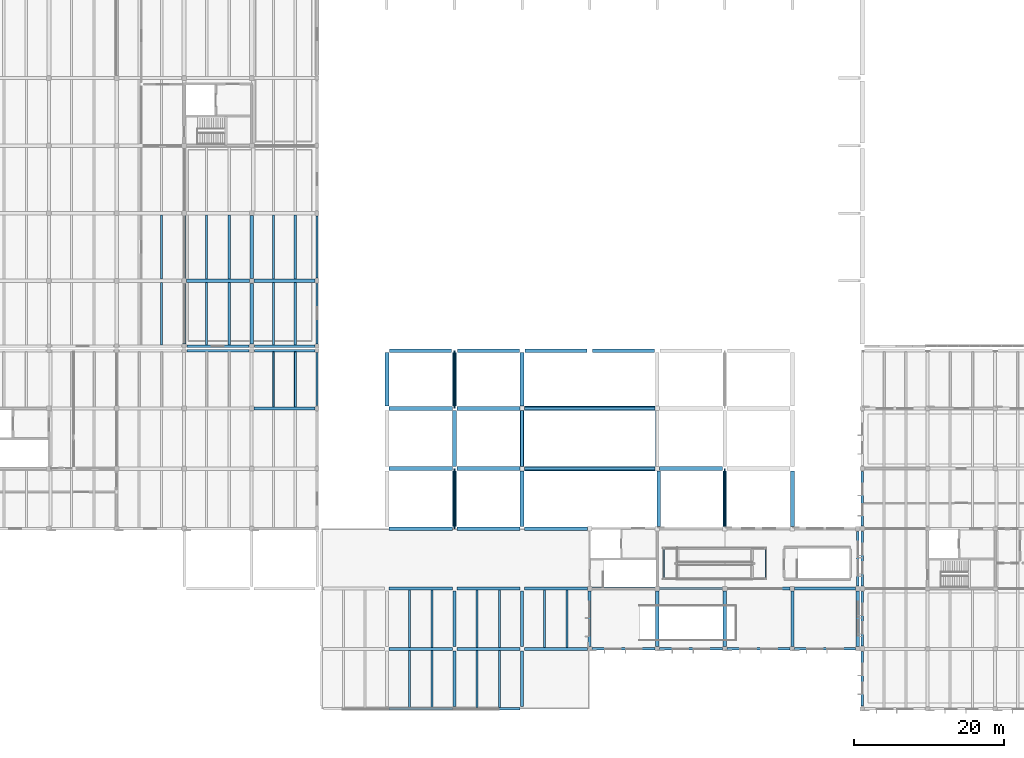
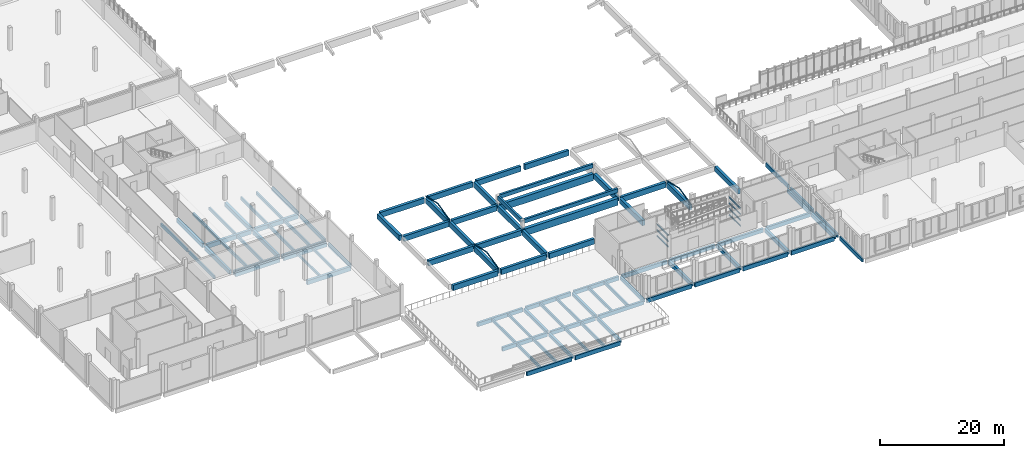
# One storey, part 7 of 63: 101 beams, 6 members.
"""IFC4 building model written with IfcOpenShell, lengths in metres."""

from ifc_helpers import new_model, si_unit, direction, frame, origin, origin_2d, place, context, subcontext, project, spatial, rectangle, hollow_circle, i_section, extrude, material, material_profile, profile_set, type_object, element, save


model = new_model("IFC4")

# Units and contexts
model_context = context("Model", 3, precision=1e-05, world=origin(), true_north=direction((0.0, 1.0)))
body_context = subcontext(model_context, "Body", "Model", "MODEL_VIEW")
ifc_project = project(units=[si_unit("LENGTHUNIT", "METRE"), si_unit("AREAUNIT", "SQUARE_METRE"), si_unit("VOLUMEUNIT", "CUBIC_METRE"), si_unit("PLANEANGLEUNIT", "RADIAN"), si_unit("MASSUNIT", "GRAM", prefix="KILO")], contexts=[model_context])

# Site, building, storey
site_placement = place(None, origin())
site = spatial("IfcSite", under=ifc_project, at=site_placement, CompositionType="ELEMENT")
building_placement = place(site_placement, origin())
building = spatial("IfcBuilding", under=site, at=building_placement, Name="Zacnel Wholesale Market", CompositionType="ELEMENT")
storey_placement = place(building_placement, frame((0.0, 0.0, 11.199951171875)))
storey = spatial("IfcBuildingStorey", under=building, at=storey_placement, Name="L03", CompositionType="ELEMENT", Elevation=11.199951171875)

# Beams
ifc_material_1 = material(Name="Precast concrete C45/55", Category="concrete")
ifc_material_profile_1 = material_profile(ifc_material_1, rectangle(XDim=0.280029296875, YDim=0.550048828125, at=origin_2d()), Name="DT RIB 280x550")
ifc_profile_set_1 = profile_set([ifc_material_profile_1], Name="Precast concrete C45/55")
beam_type_1 = type_object("IfcBeamType", Name="BM-DT550", PredefinedType="JOIST", material=ifc_profile_set_1)
for number, where, z_axis, x_axis, name in (
    (1, (84.0, 0.159912109375, -0.695068359375), (0.0, 1.0, 0.0), (-1.0, 0.0, 0.0), "Precast secondary joist L03-0347"),
    (2, (87.0, 0.159912109375, -0.695068359375), (0.0, 1.0, 0.0), (-1.0, 0.0, 0.0), "Precast secondary joist L03-0348"),
    (3, (93.0, 0.159912109375, -0.695068359375), (0.0, 1.0, 0.0), (-1.0, 0.0, 0.0), "Precast secondary joist L03-0349"),
    (4, (96.0, 0.159912109375, -0.695068359375), (0.0, 1.0, 0.0), (-1.0, 0.0, 0.0), "Precast secondary joist L03-0350"),
):
    element("IfcBeam", number, at=place(storey_placement, frame(where, z_axis=z_axis, x_axis=x_axis)), inside=storey, type_object=beam_type_1, Name=name, PredefinedType="JOIST", context=body_context, shape_type="SweptSolid", body=[
        extrude(rectangle(XDim=0.280029296875, YDim=0.550048828125, at=origin_2d()), origin(), (0.0, 0.0, 1.0), 7.64013671875),
    ])
for number, where, z_axis, x_axis, name in (
    (5, (84.0, 8.199951171875, -0.695068359375), (0.0, 1.0, 0.0), (-1.0, 0.0, 0.0), "Precast terrace joist L04-84.0"),
    (6, (87.0, 8.199951171875, -0.695068359375), (0.0, 1.0, 0.0), (-1.0, 0.0, 0.0), "Precast terrace joist L04-87.0"),
    (7, (93.0, 8.199951171875, -0.695068359375), (0.0, 1.0, 0.0), (-1.0, 0.0, 0.0), "Precast secondary joist L03-0365"),
    (8, (96.0, 8.199951171875, -0.695068359375), (0.0, 1.0, 0.0), (-1.0, 0.0, 0.0), "Precast secondary joist L03-0366"),
    (9, (102.0, 8.199951171875, -0.695068359375), (0.0, 1.0, 0.0), (-1.0, 0.0, 0.0), "Precast secondary joist L03-0367"),
    (10, (105.0, 8.199951171875, -0.695068359375), (0.0, 1.0, 0.0), (-1.0, 0.0, 0.0), "Precast secondary joist L03-0368"),
):
    element("IfcBeam", number, at=place(storey_placement, frame(where, z_axis=z_axis, x_axis=x_axis)), inside=storey, type_object=beam_type_1, Name=name, PredefinedType="JOIST", context=body_context, shape_type="SweptSolid", body=[
        extrude(rectangle(XDim=0.280029296875, YDim=0.550048828125, at=origin_2d()), origin(), (0.0, 0.0, 1.0), 7.60009765625),
    ])
ifc_material_2 = material(Name="Precast concrete C45/55", Category="concrete")
ifc_material_profile_2 = material_profile(ifc_material_2, rectangle(XDim=0.280029296875, YDim=0.60009765625, at=origin_2d()), Name="DT RIB 280x600")
ifc_profile_set_2 = profile_set([ifc_material_profile_2], Name="Precast concrete C45/55")
beam_type_2 = type_object("IfcBeamType", Name="BM-DT600", PredefinedType="JOIST", material=ifc_profile_set_2)
for number, where, z_axis, x_axis, name in (
    (11, (51.0, 48.4599609375, -0.599853515625), (0.0, 1.0, 0.0), (-1.0, 0.0, 0.0), "Precast secondary joist L03-0482"),
    (12, (57.0, 48.4599609375, -0.599853515625), (0.0, 1.0, 0.0), (-1.0, 0.0, 0.0), "Precast secondary joist L03-0483"),
    (13, (60.0, 48.4599609375, -0.599853515625), (0.0, 1.0, 0.0), (-1.0, 0.0, 0.0), "Precast secondary joist L03-0484"),
    (14, (65.89990234375, 48.4599609375, -0.599853515625), (0.0, 1.0, 0.0), (-1.0, 0.0, 0.0), "Precast secondary joist L03-0485"),
    (15, (68.800048828125, 48.4599609375, -0.599853515625), (0.0, 1.0, 0.0), (-1.0, 0.0, 0.0), "Precast secondary joist L03-0486"),
):
    element("IfcBeam", number, at=place(storey_placement, frame(where, z_axis=z_axis, x_axis=x_axis)), inside=storey, type_object=beam_type_2, Name=name, PredefinedType="JOIST", context=body_context, shape_type="SweptSolid", body=[
        extrude(rectangle(XDim=0.280029296875, YDim=0.60009765625, at=origin_2d()), origin(), (0.0, 0.0, 1.0), 8.31494140625),
    ])
for number, where, z_axis, x_axis, name in (
    (16, (51.0, 57.22509765625, -0.599853515625), (0.0, 1.0, 0.0), (-1.0, 0.0, 0.0), "Precast secondary joist L03-0502"),
    (17, (57.0, 57.22509765625, -0.599853515625), (0.0, 1.0, 0.0), (-1.0, 0.0, 0.0), "Precast secondary joist L03-0503"),
    (18, (60.0, 57.22509765625, -0.599853515625), (0.0, 1.0, 0.0), (-1.0, 0.0, 0.0), "Precast secondary joist L03-0504"),
    (19, (65.89990234375, 57.22509765625, -0.599853515625), (0.0, 1.0, 0.0), (-1.0, 0.0, 0.0), "Precast secondary joist L03-0505"),
    (20, (68.800048828125, 57.22509765625, -0.599853515625), (0.0, 1.0, 0.0), (-1.0, 0.0, 0.0), "Precast secondary joist L03-0506"),
):
    element("IfcBeam", number, at=place(storey_placement, frame(where, z_axis=z_axis, x_axis=x_axis)), inside=storey, type_object=beam_type_2, Name=name, PredefinedType="JOIST", context=body_context, shape_type="SweptSolid", body=[
        extrude(rectangle(XDim=0.280029296875, YDim=0.60009765625, at=origin_2d()), origin(), (0.0, 0.0, 1.0), 8.5498046875),
    ])
ifc_material_3 = material(Name="Precast concrete C45/55", Category="concrete")
ifc_material_profile_3 = material_profile(ifc_material_3, rectangle(XDim=0.5, YDim=1.050048828125, at=origin_2d()), Name="PG 500x1050")
ifc_profile_set_3 = profile_set([ifc_material_profile_3], Name="Precast concrete C45/55")
beam_type_3 = type_object("IfcBeamType", Name="BM-PG1050", PredefinedType="T_BEAM", material=ifc_profile_set_3)
for number, where, z_axis, x_axis, name in (
    (21, (81.300048828125, 24.0, 1.6650390625), (1.0, 0.0, 0.0), (0.0, 1.0, 0.0), "Precast girder X-0601"),
    (22, (90.300048828125, 24.0, 1.6650390625), (1.0, 0.0, 0.0), (0.0, 1.0, 0.0), "Precast girder X-0602"),
    (23, (99.300048828125, 24.0, 1.6650390625), (1.0, 0.0, 0.0), (0.0, 1.0, 0.0), "Precast girder X-0603"),
    (24, (81.300048828125, 32.0, 1.6650390625), (1.0, 0.0, 0.0), (0.0, 1.0, 0.0), "Precast girder X-0618"),
    (25, (90.300048828125, 32.0, 1.6650390625), (1.0, 0.0, 0.0), (0.0, 1.0, 0.0), "Precast girder X-0619"),
    (26, (117.300048828125, 32.0, 1.6650390625), (1.0, 0.0, 0.0), (0.0, 1.0, 0.0), "Precast girder X-0621"),
    (27, (81.300048828125, 40.0, 1.6650390625), (1.0, 0.0, 0.0), (0.0, 1.0, 0.0), "Precast girder X-0637"),
    (28, (90.300048828125, 40.0, 1.6650390625), (1.0, 0.0, 0.0), (0.0, 1.0, 0.0), "Precast girder X-0638"),
):
    element("IfcBeam", number, at=place(storey_placement, frame(where, z_axis=z_axis, x_axis=x_axis)), inside=storey, type_object=beam_type_3, Name=name, PredefinedType="T_BEAM", context=body_context, shape_type="SweptSolid", body=[
        extrude(rectangle(XDim=0.5, YDim=1.050048828125, at=origin_2d()), origin(), (0.0, 0.0, 1.0), 8.39990234375),
    ])
for number, where, z_axis, x_axis, name in (
    (29, (81.375, 47.699951171875, 1.6650390625), (1.0, 0.0, 0.0), (0.0, 1.0, 0.0), "Precast girder X-0656"),
    (30, (90.375, 47.699951171875, 1.6650390625), (1.0, 0.0, 0.0), (0.0, 1.0, 0.0), "Precast girder X-0657"),
    (31, (99.375, 47.699951171875, 1.6650390625), (1.0, 0.0, 0.0), (0.0, 1.0, 0.0), "Precast girder X-0658"),
    (32, (108.375, 47.699951171875, 1.6650390625), (1.0, 0.0, 0.0), (0.0, 1.0, 0.0), "Precast girder X-0659"),
):
    element("IfcBeam", number, at=place(storey_placement, frame(where, z_axis=z_axis, x_axis=x_axis)), inside=storey, type_object=beam_type_3, Name=name, PredefinedType="T_BEAM", context=body_context, shape_type="SweptSolid", body=[
        extrude(rectangle(XDim=0.5, YDim=1.050048828125, at=origin_2d()), origin(), (0.0, 0.0, 1.0), 8.25),
    ])
beam_1_placement = place(storey_placement, frame((81.0, 40.300048828125, 1.6650390625), z_axis=(0.0, 1.0, 0.0), x_axis=(-1.0, 0.0, 0.0)))
element("IfcBeam", 33, at=beam_1_placement, inside=storey, type_object=beam_type_3, Name="Precast girder Y-0891", PredefinedType="T_BEAM", context=body_context, shape_type="SweptSolid", body=[
    extrude(rectangle(XDim=0.5, YDim=1.050048828125, at=origin_2d()), origin(), (0.0, 0.0, 1.0), 7.125),
])
for number, where, z_axis, x_axis, name in (
    (34, (90.0, 24.300048828125, 1.6650390625), (0.0, 1.0, 0.0), (-1.0, 0.0, 0.0), "Precast girder Y-0895"),
    (35, (90.0, 32.300048828125, 1.6650390625), (0.0, 1.0, 0.0), (-1.0, 0.0, 0.0), "Precast girder Y-0896"),
):
    element("IfcBeam", number, at=place(storey_placement, frame(where, z_axis=z_axis, x_axis=x_axis)), inside=storey, type_object=beam_type_3, Name=name, PredefinedType="T_BEAM", context=body_context, shape_type="SweptSolid", body=[
        extrude(rectangle(XDim=0.5, YDim=1.050048828125, at=origin_2d()), origin(), (0.0, 0.0, 1.0), 7.39990234375),
    ])
beam_2_placement = place(storey_placement, frame((90.0, 40.300048828125, 1.6650390625), z_axis=(0.0, 1.0, 0.0), x_axis=(-1.0, 0.0, 0.0)))
element("IfcBeam", 36, at=beam_2_placement, inside=storey, type_object=beam_type_3, Name="Precast girder Y-0897", PredefinedType="T_BEAM", context=body_context, shape_type="SweptSolid", body=[
    extrude(rectangle(XDim=0.5, YDim=1.050048828125, at=origin_2d()), origin(), (0.0, 0.0, 1.0), 7.125),
])
for number, where, z_axis, x_axis, name in (
    (37, (99.0, 24.300048828125, 1.6650390625), (0.0, 1.0, 0.0), (-1.0, 0.0, 0.0), "Precast girder Y-0901"),
    (38, (99.0, 32.300048828125, 1.6650390625), (0.0, 1.0, 0.0), (-1.0, 0.0, 0.0), "Precast girder Y-0902"),
):
    element("IfcBeam", number, at=place(storey_placement, frame(where, z_axis=z_axis, x_axis=x_axis)), inside=storey, type_object=beam_type_3, Name=name, PredefinedType="T_BEAM", context=body_context, shape_type="SweptSolid", body=[
        extrude(rectangle(XDim=0.5, YDim=1.050048828125, at=origin_2d()), origin(), (0.0, 0.0, 1.0), 7.39990234375),
    ])
beam_3_placement = place(storey_placement, frame((99.0, 40.300048828125, 1.6650390625), z_axis=(0.0, 1.0, 0.0), x_axis=(-1.0, 0.0, 0.0)))
element("IfcBeam", 39, at=beam_3_placement, inside=storey, type_object=beam_type_3, Name="Precast girder Y-0903", PredefinedType="T_BEAM", context=body_context, shape_type="SweptSolid", body=[
    extrude(rectangle(XDim=0.5, YDim=1.050048828125, at=origin_2d()), origin(), (0.0, 0.0, 1.0), 7.125),
])
for number, where, z_axis, x_axis, name in (
    (40, (117.179931640625, 24.300048828125, 1.6650390625), (0.0, 1.0, 0.0), (-1.0, 0.0, 0.0), "Precast girder Y-0907"),
    (41, (117.0, 32.300048828125, 1.6650390625), (0.0, 1.0, 0.0), (-1.0, 0.0, 0.0), "Precast girder Y-0908"),
    (42, (126.0, 24.300048828125, 1.6650390625), (0.0, 1.0, 0.0), (-1.0, 0.0, 0.0), "Precast girder Y-0911"),
    (43, (135.0, 24.300048828125, 1.6650390625), (0.0, 1.0, 0.0), (-1.0, 0.0, 0.0), "Precast girder Y-0915"),
):
    element("IfcBeam", number, at=place(storey_placement, frame(where, z_axis=z_axis, x_axis=x_axis)), inside=storey, type_object=beam_type_3, Name=name, PredefinedType="T_BEAM", context=body_context, shape_type="SweptSolid", body=[
        extrude(rectangle(XDim=0.5, YDim=1.050048828125, at=origin_2d()), origin(), (0.0, 0.0, 1.0), 7.39990234375),
    ])
ifc_material_4 = material(Name="Precast concrete C45/55", Category="concrete")
ifc_material_profile_4 = material_profile(ifc_material_4, rectangle(XDim=0.60009765625, YDim=1.35009765625, at=origin_2d()), Name="PG 600x1350")
ifc_profile_set_4 = profile_set([ifc_material_profile_4], Name="Precast concrete C45/55")
beam_type_4 = type_object("IfcBeamType", Name="BM-PG1350", PredefinedType="T_BEAM", material=ifc_profile_set_4)
for number, where, z_axis, x_axis, name in (
    (44, (99.300048828125, 32.0, 1.51513671875), (1.0, 0.0, 0.0), (0.0, 1.0, 0.0), "Precast girder X-0620"),
    (45, (99.300048828125, 40.0, 1.51513671875), (1.0, 0.0, 0.0), (0.0, 1.0, 0.0), "Precast girder X-0639"),
):
    element("IfcBeam", number, at=place(storey_placement, frame(where, z_axis=z_axis, x_axis=x_axis)), inside=storey, type_object=beam_type_4, Name=name, PredefinedType="T_BEAM", context=body_context, shape_type="SweptSolid", body=[
        extrude(rectangle(XDim=0.60009765625, YDim=1.35009765625, at=origin_2d()), origin(), (0.0, 0.0, 1.0), 17.39990234375),
    ])
ifc_material_5 = material(Name="Precast concrete C45/55", Category="concrete")
ifc_material_profile_5 = material_profile(ifc_material_5, rectangle(XDim=0.39990234375, YDim=0.64990234375, at=origin_2d()), Name="PG 400x650")
ifc_profile_set_5 = profile_set([ifc_material_profile_5], Name="Precast concrete C45/55")
beam_type_5 = type_object("IfcBeamType", Name="BM-PG650", PredefinedType="BEAM", material=ifc_profile_set_5)
for number, where, z_axis, x_axis, name in (
    (46, (90.0, 0.300048828125, -0.744873046875), (0.0, 1.0, 0.0), (-1.0, 0.0, 0.0), "Precast girder Y-0893"),
    (47, (90.0, 8.300048828125, -0.744873046875), (0.0, 1.0, 0.0), (-1.0, 0.0, 0.0), "Precast girder Y-0894"),
    (48, (99.0, 0.300048828125, -0.744873046875), (0.0, 1.0, 0.0), (-1.0, 0.0, 0.0), "Precast girder Y-0899"),
    (49, (99.0, 8.300048828125, -0.744873046875), (0.0, 1.0, 0.0), (-1.0, 0.0, 0.0), "Precast girder Y-0900"),
    (50, (108.0, 8.300048828125, -0.744873046875), (0.0, 1.0, 0.0), (-1.0, 0.0, 0.0), "Precast girder Y-0905"),
):
    element("IfcBeam", number, at=place(storey_placement, frame(where, z_axis=z_axis, x_axis=x_axis)), inside=storey, type_object=beam_type_5, Name=name, PredefinedType="BEAM", context=body_context, shape_type="SweptSolid", body=[
        extrude(rectangle(XDim=0.39990234375, YDim=0.64990234375, at=origin_2d()), origin(), (0.0, 0.0, 1.0), 7.39990234375),
    ])
ifc_material_6 = material(Name="Precast concrete C45/55", Category="concrete")
ifc_material_profile_6 = material_profile(ifc_material_6, rectangle(XDim=0.39990234375, YDim=0.75, at=origin_2d()), Name="PG 400x750")
ifc_profile_set_6 = profile_set([ifc_material_profile_6], Name="Precast concrete C45/55")
beam_type_6 = type_object("IfcBeamType", Name="BM-PG750", PredefinedType="BEAM", material=ifc_profile_set_6)
for number, where, z_axis, x_axis, name in (
    (51, (81.300048828125, 8.0, -0.794921875), (1.0, 0.0, 0.0), (0.0, 1.0, 0.0), "Precast girder X-0569"),
    (52, (90.300048828125, 8.0, -0.794921875), (1.0, 0.0, 0.0), (0.0, 1.0, 0.0), "Precast girder X-0570"),
    (53, (99.300048828125, 8.0, -0.794921875), (1.0, 0.0, 0.0), (0.0, 1.0, 0.0), "Precast girder X-0571"),
    (54, (81.300048828125, 16.0, -0.794921875), (1.0, 0.0, 0.0), (0.0, 1.0, 0.0), "Precast girder X-0580"),
    (55, (90.300048828125, 16.0, -0.794921875), (1.0, 0.0, 0.0), (0.0, 1.0, 0.0), "Precast girder X-0581"),
    (56, (99.300048828125, 16.0, -0.794921875), (1.0, 0.0, 0.0), (0.0, 1.0, 0.0), "Precast girder X-0582"),
    (57, (108.300048828125, 16.0, -0.794921875), (1.0, 0.0, 0.0), (0.0, 1.0, 0.0), "Precast girder X-0583"),
    (58, (117.300048828125, 16.0, -0.794921875), (1.0, 0.0, 0.0), (0.0, 1.0, 0.0), "Precast girder X-0584"),
    (59, (126.300048828125, 16.0, -0.794921875), (1.0, 0.0, 0.0), (0.0, 1.0, 0.0), "Precast girder X-0585"),
):
    element("IfcBeam", number, at=place(storey_placement, frame(where, z_axis=z_axis, x_axis=x_axis)), inside=storey, type_object=beam_type_6, Name=name, PredefinedType="BEAM", context=body_context, shape_type="SweptSolid", body=[
        extrude(rectangle(XDim=0.39990234375, YDim=0.75, at=origin_2d()), origin(), (0.0, 0.0, 1.0), 8.39990234375),
    ])
beam_4_placement = place(storey_placement, frame((135.300048828125, 16.0, -0.794921875), z_axis=(1.0, 0.0, 0.0), x_axis=(0.0, 1.0, 0.0)))
element("IfcBeam", 60, at=beam_4_placement, inside=storey, type_object=beam_type_6, Name="Precast girder X-0586", PredefinedType="BEAM", context=body_context, shape_type="SweptSolid", body=[
    extrude(rectangle(XDim=0.39990234375, YDim=0.75, at=origin_2d()), origin(), (0.0, 0.0, 1.0), 8.125),
])
for number, where, z_axis, x_axis, name in (
    (61, (99.300048828125, 32.0, 3.679931640625), (1.0, 0.0, 0.0), (0.0, 1.0, 0.0), "Auction pavilion collar beam 01"),
    (62, (99.300048828125, 40.0, 3.679931640625), (1.0, 0.0, 0.0), (0.0, 1.0, 0.0), "Auction pavilion collar beam 02"),
):
    element("IfcBeam", number, at=place(storey_placement, frame(where, z_axis=z_axis, x_axis=x_axis)), inside=storey, type_object=beam_type_6, Name=name, PredefinedType="BEAM", context=body_context, shape_type="SweptSolid", body=[
        extrude(rectangle(XDim=0.39990234375, YDim=0.75, at=origin_2d()), origin(), (0.0, 0.0, 1.0), 17.39990234375),
    ])
beam_5_placement = place(storey_placement, frame((99.0, 32.300048828125, 3.679931640625), z_axis=(0.0, 1.0, 0.0), x_axis=(-1.0, 0.0, 0.0)))
element("IfcBeam", 63, at=beam_5_placement, inside=storey, type_object=beam_type_6, Name="Auction pavilion collar beam 03", PredefinedType="BEAM", context=body_context, shape_type="SweptSolid", body=[
    extrude(rectangle(XDim=0.39990234375, YDim=0.75, at=origin_2d()), origin(), (0.0, 0.0, 1.0), 7.39990234375),
])
ifc_material_7 = material(Name="Precast concrete C45/55", Category="concrete")
ifc_material_profile_7 = material_profile(ifc_material_7, rectangle(XDim=0.449951171875, YDim=0.800048828125, at=origin_2d()), Name="PG 450x800")
ifc_profile_set_7 = profile_set([ifc_material_profile_7], Name="Precast concrete C45/55")
beam_type_7 = type_object("IfcBeamType", Name="BM-PG800", PredefinedType="BEAM", material=ifc_profile_set_7)
beam_6_placement = place(storey_placement, frame((54.0, 48.574951171875, -0.699951171875), z_axis=(0.0, 1.0, 0.0), x_axis=(-1.0, 0.0, 0.0)))
element("IfcBeam", 64, at=beam_6_placement, inside=storey, type_object=beam_type_7, Name="Precast girder Y-0850", PredefinedType="BEAM", context=body_context, shape_type="SweptSolid", body=[
    extrude(rectangle(XDim=0.449951171875, YDim=0.800048828125, at=origin_2d()), origin(), (0.0, 0.0, 1.0), 8.10009765625),
])
beam_7_placement = place(storey_placement, frame((54.0, 57.324951171875, -0.699951171875), z_axis=(0.0, 1.0, 0.0), x_axis=(-1.0, 0.0, 0.0)))
element("IfcBeam", 65, at=beam_7_placement, inside=storey, type_object=beam_type_7, Name="Precast girder Y-0851", PredefinedType="BEAM", context=body_context, shape_type="SweptSolid", body=[
    extrude(rectangle(XDim=0.449951171875, YDim=0.800048828125, at=origin_2d()), origin(), (0.0, 0.0, 1.0), 8.35009765625),
])
beam_8_placement = place(storey_placement, frame((63.0, 48.574951171875, -0.699951171875), z_axis=(0.0, 1.0, 0.0), x_axis=(-1.0, 0.0, 0.0)))
element("IfcBeam", 66, at=beam_8_placement, inside=storey, type_object=beam_type_7, Name="Precast girder Y-0862", PredefinedType="BEAM", context=body_context, shape_type="SweptSolid", body=[
    extrude(rectangle(XDim=0.449951171875, YDim=0.800048828125, at=origin_2d()), origin(), (0.0, 0.0, 1.0), 8.10009765625),
])
beam_9_placement = place(storey_placement, frame((63.0, 57.324951171875, -0.699951171875), z_axis=(0.0, 1.0, 0.0), x_axis=(-1.0, 0.0, 0.0)))
element("IfcBeam", 67, at=beam_9_placement, inside=storey, type_object=beam_type_7, Name="Precast girder Y-0863", PredefinedType="BEAM", context=body_context, shape_type="SweptSolid", body=[
    extrude(rectangle(XDim=0.449951171875, YDim=0.800048828125, at=origin_2d()), origin(), (0.0, 0.0, 1.0), 8.35009765625),
])
for number, where, z_axis, x_axis, name in (
    (68, (117.0, 8.300048828125, -0.699951171875), (0.0, 1.0, 0.0), (-1.0, 0.0, 0.0), "Precast wing cross-girder V4EL2S-01"),
    (69, (126.0, 8.300048828125, -0.699951171875), (0.0, 1.0, 0.0), (-1.0, 0.0, 0.0), "Precast wing cross-girder V4EL2S-02"),
    (70, (135.0, 8.300048828125, -0.699951171875), (0.0, 1.0, 0.0), (-1.0, 0.0, 0.0), "Precast wing cross-girder V4EL2S-03"),
    (71, (143.699951171875, 8.300048828125, -0.699951171875), (0.0, 1.0, 0.0), (-1.0, 0.0, 0.0), "Precast wing cross-girder V4EL2S-04"),
):
    element("IfcBeam", number, at=place(storey_placement, frame(where, z_axis=z_axis, x_axis=x_axis)), inside=storey, type_object=beam_type_7, Name=name, PredefinedType="BEAM", context=body_context, shape_type="SweptSolid", body=[
        extrude(rectangle(XDim=0.449951171875, YDim=0.800048828125, at=origin_2d()), origin(), (0.0, 0.0, 1.0), 7.39990234375),
    ])
ifc_material_8 = material(Name="Precast concrete C45/55", Category="concrete")
ifc_material_profile_8 = material_profile(ifc_material_8, rectangle(XDim=0.449951171875, YDim=0.85009765625, at=origin_2d()), Name="PG 450x850")
ifc_profile_set_8 = profile_set([ifc_material_profile_8], Name="Precast concrete C45/55")
beam_type_8 = type_object("IfcBeamType", Name="BM-PG850", PredefinedType="BEAM", material=ifc_profile_set_8)
beam_10_placement = place(storey_placement, frame((63.324951171875, 40.0, -0.724853515625), z_axis=(1.0, 0.0, 0.0), x_axis=(0.0, 1.0, 0.0)))
element("IfcBeam", 72, at=beam_10_placement, inside=storey, type_object=beam_type_8, Name="Precast girder X-0636", PredefinedType="BEAM", context=body_context, shape_type="SweptSolid", body=[
    extrude(rectangle(XDim=0.449951171875, YDim=0.85009765625, at=origin_2d()), origin(), (0.0, 0.0, 1.0), 8.10009765625),
])
beam_11_placement = place(storey_placement, frame((54.324951171875, 57.0, -0.724853515625), z_axis=(1.0, 0.0, 0.0), x_axis=(0.0, 1.0, 0.0)))
element("IfcBeam", 73, at=beam_11_placement, inside=storey, type_object=beam_type_8, Name="Precast girder X-0684", PredefinedType="BEAM", context=body_context, shape_type="SweptSolid", body=[
    extrude(rectangle(XDim=0.449951171875, YDim=0.85009765625, at=origin_2d()), origin(), (0.0, 0.0, 1.0), 8.35009765625),
])
beam_12_placement = place(storey_placement, frame((63.324951171875, 57.0, -0.724853515625), z_axis=(1.0, 0.0, 0.0), x_axis=(0.0, 1.0, 0.0)))
element("IfcBeam", 74, at=beam_12_placement, inside=storey, type_object=beam_type_8, Name="Precast girder X-0685", PredefinedType="BEAM", context=body_context, shape_type="SweptSolid", body=[
    extrude(rectangle(XDim=0.449951171875, YDim=0.85009765625, at=origin_2d()), origin(), (0.0, 0.0, 1.0), 8.10009765625),
])
ifc_material_9 = material(Name="Precast concrete C45/55", Category="concrete")
ifc_material_profile_9 = material_profile(ifc_material_9, rectangle(XDim=0.260009765625, YDim=0.5, at=origin_2d()), Name="PJ 260x500")
ifc_profile_set_9 = profile_set([ifc_material_profile_9], Name="Precast concrete C45/55")
beam_type_9 = type_object("IfcBeamType", Name="BM-PJ500", PredefinedType="HOLLOWCORE", material=ifc_profile_set_9)
for number, where, z_axis, x_axis, name in (
    (75, (65.89990234375, 40.22509765625, -0.550048828125), (0.0, 1.0, 0.0), (-1.0, 0.0, 0.0), "Precast secondary joist L03-0457"),
    (76, (68.800048828125, 40.22509765625, -0.550048828125), (0.0, 1.0, 0.0), (-1.0, 0.0, 0.0), "Precast secondary joist L03-0458"),
):
    element("IfcBeam", number, at=place(storey_placement, frame(where, z_axis=z_axis, x_axis=x_axis)), inside=storey, type_object=beam_type_9, Name=name, PredefinedType="HOLLOWCORE", context=body_context, shape_type="SweptSolid", body=[
        extrude(rectangle(XDim=0.260009765625, YDim=0.5, at=origin_2d()), origin(), (0.0, 0.0, 1.0), 7.31494140625),
    ])
ifc_material_10 = material(Name="Precast concrete C45/55", Category="concrete")
ifc_material_profile_10 = material_profile(ifc_material_10, rectangle(XDim=0.300048828125, YDim=0.75, at=origin_2d()), Name="SP 300x750")
ifc_profile_set_10 = profile_set([ifc_material_profile_10], Name="Precast concrete C45/55")
beam_type_10 = type_object("IfcBeamType", Name="BM-SP750", PredefinedType="SPANDREL", material=ifc_profile_set_10)
beam_13_placement = place(storey_placement, frame((71.699951171875, 40.375, -0.675048828125), z_axis=(0.0, 1.0, 0.0), x_axis=(-1.0, 0.0, 0.0)))
element("IfcBeam", 77, at=beam_13_placement, inside=storey, type_object=beam_type_10, Name="Precast girder Y-0873", PredefinedType="SPANDREL", context=body_context, shape_type="SweptSolid", body=[
    extrude(rectangle(XDim=0.300048828125, YDim=0.75, at=origin_2d()), origin(), (0.0, 0.0, 1.0), 7.050048828125),
])
beam_14_placement = place(storey_placement, frame((71.699951171875, 48.574951171875, -0.675048828125), z_axis=(0.0, 1.0, 0.0), x_axis=(-1.0, 0.0, 0.0)))
element("IfcBeam", 78, at=beam_14_placement, inside=storey, type_object=beam_type_10, Name="Precast girder Y-0874", PredefinedType="SPANDREL", context=body_context, shape_type="SweptSolid", body=[
    extrude(rectangle(XDim=0.300048828125, YDim=0.75, at=origin_2d()), origin(), (0.0, 0.0, 1.0), 8.050048828125),
])
beam_15_placement = place(storey_placement, frame((71.699951171875, 57.375, -0.675048828125), z_axis=(0.0, 1.0, 0.0), x_axis=(-1.0, 0.0, 0.0)))
element("IfcBeam", 79, at=beam_15_placement, inside=storey, type_object=beam_type_10, Name="Precast girder Y-0875", PredefinedType="SPANDREL", context=body_context, shape_type="SweptSolid", body=[
    extrude(rectangle(XDim=0.300048828125, YDim=0.75, at=origin_2d()), origin(), (0.0, 0.0, 1.0), 8.25),
])
for number, where, z_axis, x_axis, name in (
    (80, (143.699951171875, 16.375, -0.794921875), (0.0, 1.0, 0.0), (-1.0, 0.0, 0.0), "Precast girder Y-0919"),
    (81, (144.300048828125, 0.375, -0.675048828125), (0.0, 1.0, 0.0), (-1.0, 0.0, 0.0), "Precast girder Y-0921"),
    (82, (144.300048828125, 8.375, -0.675048828125), (0.0, 1.0, 0.0), (-1.0, 0.0, 0.0), "Precast girder Y-0922"),
    (83, (144.300048828125, 16.375, -0.675048828125), (0.0, 1.0, 0.0), (-1.0, 0.0, 0.0), "Precast girder Y-0923"),
    (84, (144.300048828125, 24.375, -0.675048828125), (0.0, 1.0, 0.0), (-1.0, 0.0, 0.0), "Precast girder Y-0924"),
):
    element("IfcBeam", number, at=place(storey_placement, frame(where, z_axis=z_axis, x_axis=x_axis)), inside=storey, type_object=beam_type_10, Name=name, PredefinedType="SPANDREL", context=body_context, shape_type="SweptSolid", body=[
        extrude(rectangle(XDim=0.300048828125, YDim=0.75, at=origin_2d()), origin(), (0.0, 0.0, 1.0), 7.25),
    ])
ifc_material_11 = material(Name="Precast concrete C45/55", Category="concrete")
ifc_material_profile_11 = material_profile(ifc_material_11, rectangle(XDim=0.320068359375, YDim=0.820068359375, at=origin_2d()), Name="SP 320x820")
ifc_profile_set_11 = profile_set([ifc_material_profile_11], Name="Precast concrete C45/55")
beam_type_11 = type_object("IfcBeamType", Name="BM-SP820", PredefinedType="SPANDREL", material=ifc_profile_set_11)
for number, where, z_axis, x_axis, name in (
    (85, (81.300048828125, 0.0, -0.829833984375), (1.0, 0.0, 0.0), (0.0, 1.0, 0.0), "Precast girder X-0558"),
    (86, (90.300048828125, 0.0, -0.829833984375), (1.0, 0.0, 0.0), (0.0, 1.0, 0.0), "Precast girder X-0559"),
):
    element("IfcBeam", number, at=place(storey_placement, frame(where, z_axis=z_axis, x_axis=x_axis)), inside=storey, type_object=beam_type_11, Name=name, PredefinedType="SPANDREL", context=body_context, shape_type="SweptSolid", body=[
        extrude(rectangle(XDim=0.320068359375, YDim=0.820068359375, at=origin_2d()), origin(), (0.0, 0.0, 1.0), 8.39990234375),
    ])
beam_16_placement = place(storey_placement, frame((54.375, 47.699951171875, -0.7099609375), z_axis=(1.0, 0.0, 0.0), x_axis=(0.0, 1.0, 0.0)))
element("IfcBeam", 87, at=beam_16_placement, inside=storey, type_object=beam_type_11, Name="Precast girder X-0654", PredefinedType="SPANDREL", context=body_context, shape_type="SweptSolid", body=[
    extrude(rectangle(XDim=0.320068359375, YDim=0.820068359375, at=origin_2d()), origin(), (0.0, 0.0, 1.0), 8.25),
])
beam_17_placement = place(storey_placement, frame((63.375, 47.699951171875, -0.7099609375), z_axis=(1.0, 0.0, 0.0), x_axis=(0.0, 1.0, 0.0)))
element("IfcBeam", 88, at=beam_17_placement, inside=storey, type_object=beam_type_11, Name="Precast girder X-0655", PredefinedType="SPANDREL", context=body_context, shape_type="SweptSolid", body=[
    extrude(rectangle(XDim=0.320068359375, YDim=0.820068359375, at=origin_2d()), origin(), (0.0, 0.0, 1.0), 8.050048828125),
])
beam_18_placement = place(storey_placement, frame((54.375, 48.300048828125, -0.7099609375), z_axis=(1.0, 0.0, 0.0), x_axis=(0.0, 1.0, 0.0)))
element("IfcBeam", 89, at=beam_18_placement, inside=storey, type_object=beam_type_11, Name="Precast girder X-0674", PredefinedType="SPANDREL", context=body_context, shape_type="SweptSolid", body=[
    extrude(rectangle(XDim=0.320068359375, YDim=0.820068359375, at=origin_2d()), origin(), (0.0, 0.0, 1.0), 8.25),
])
beam_19_placement = place(storey_placement, frame((63.375, 48.300048828125, -0.7099609375), z_axis=(1.0, 0.0, 0.0), x_axis=(0.0, 1.0, 0.0)))
element("IfcBeam", 90, at=beam_19_placement, inside=storey, type_object=beam_type_11, Name="Precast girder X-0675", PredefinedType="SPANDREL", context=body_context, shape_type="SweptSolid", body=[
    extrude(rectangle(XDim=0.320068359375, YDim=0.820068359375, at=origin_2d()), origin(), (0.0, 0.0, 1.0), 8.050048828125),
])
for number, where, z_axis, x_axis, name in (
    (91, (117.300048828125, 8.0, -0.7099609375), (1.0, 0.0, 0.0), (0.0, 1.0, 0.0), "Precast wing girder X V4EL2S-001"),
    (92, (126.300048828125, 8.0, -0.7099609375), (1.0, 0.0, 0.0), (0.0, 1.0, 0.0), "Precast wing girder X V4EL2S-002"),
):
    element("IfcBeam", number, at=place(storey_placement, frame(where, z_axis=z_axis, x_axis=x_axis)), inside=storey, type_object=beam_type_11, Name=name, PredefinedType="SPANDREL", context=body_context, shape_type="SweptSolid", body=[
        extrude(rectangle(XDim=0.320068359375, YDim=0.820068359375, at=origin_2d()), origin(), (0.0, 0.0, 1.0), 8.39990234375),
    ])
beam_20_placement = place(storey_placement, frame((135.300048828125, 8.0, -0.7099609375), z_axis=(1.0, 0.0, 0.0), x_axis=(0.0, 1.0, 0.0)))
element("IfcBeam", 93, at=beam_20_placement, inside=storey, type_object=beam_type_11, Name="Precast wing girder X V4EL2S-003", PredefinedType="SPANDREL", context=body_context, shape_type="SweptSolid", body=[
    extrude(rectangle(XDim=0.320068359375, YDim=0.820068359375, at=origin_2d()), origin(), (0.0, 0.0, 1.0), 8.099853515625),
])
beam_21_placement = place(storey_placement, frame((108.300048828125, 8.0, -0.7099609375), z_axis=(1.0, 0.0, 0.0), x_axis=(0.0, 1.0, 0.0)))
element("IfcBeam", 94, at=beam_21_placement, inside=storey, type_object=beam_type_11, Name="Precast wing girder X V4EL2S-000", PredefinedType="SPANDREL", context=body_context, shape_type="SweptSolid", body=[
    extrude(rectangle(XDim=0.320068359375, YDim=0.820068359375, at=origin_2d()), origin(), (0.0, 0.0, 1.0), 8.39990234375),
])
ifc_material_12 = material(Name="Steel S355", Category="steel")
ifc_material_profile_12 = material_profile(ifc_material_12, i_section(OverallWidth=0.14599609375, OverallDepth=0.258056640625, WebThickness=0.006103515625, FlangeThickness=0.009033203125, FilletRadius=0.009033203125, at=origin_2d()), Name="W250X32.7")
ifc_profile_set_12 = profile_set([ifc_material_profile_12], Name="Steel S355")
beam_type_12 = type_object("IfcBeamType", Name="BM-STL-W250", PredefinedType="JOIST", material=ifc_profile_set_12)
for number, where, z_axis, x_axis, name in (
    (95, (131.385986328125, 17.47998046875, 0.223876953125), (0.0, 1.0, 0.0), (-1.0, 0.0, 0.0), "Accessible ramp RP-05 (RMP-PROM-3) landing edge beam 1"),
    (96, (117.8798828125, 17.47998046875, 0.79248046875), (0.0, 1.0, 0.0), (-1.0, 0.0, 0.0), "Accessible ramp RP-05 (RMP-PROM-3) landing edge beam 2"),
    (97, (131.385986328125, 17.47998046875, 1.361328125), (0.0, 1.0, 0.0), (-1.0, 0.0, 0.0), "Accessible ramp RP-05 (RMP-PROM-3) landing edge beam 3"),
    (98, (117.8798828125, 17.47998046875, 1.929931640625), (0.0, 1.0, 0.0), (-1.0, 0.0, 0.0), "Accessible ramp RP-05 (RMP-PROM-3) landing edge beam 4"),
    (99, (131.385986328125, 17.47998046875, 2.498779296875), (0.0, 1.0, 0.0), (-1.0, 0.0, 0.0), "Accessible ramp RP-05 (RMP-PROM-3) landing edge beam 5"),
    (100, (117.8798828125, 17.47998046875, 3.067626953125), (0.0, 1.0, 0.0), (-1.0, 0.0, 0.0), "Accessible ramp RP-05 (RMP-PROM-3) landing edge beam 6"),
    (101, (131.385986328125, 17.47998046875, 3.63623046875), (0.0, 1.0, 0.0), (-1.0, 0.0, 0.0), "Accessible ramp RP-05 (RMP-PROM-3) landing edge beam 7"),
):
    element("IfcBeam", number, at=place(storey_placement, frame(where, z_axis=z_axis, x_axis=x_axis)), inside=storey, type_object=beam_type_12, Name=name, PredefinedType="JOIST", context=body_context, shape_type="SweptSolid", body=[
        extrude(i_section(OverallWidth=0.14599609375, OverallDepth=0.258056640625, WebThickness=0.006103515625, FlangeThickness=0.009033203125, FilletRadius=0.009033203125, at=origin_2d()), origin(), (0.0, 0.0, 1.0), 3.739990234375),
    ])

# Members
ifc_material_13 = material(Name="Steel S355", Category="steel")
ifc_material_profile_13 = material_profile(ifc_material_13, hollow_circle(Radius=0.109619140625, WallThickness=0.010009765625, at=origin_2d()), Name="CHS 219.1x10")
ifc_profile_set_13 = profile_set([ifc_material_profile_13], Name="Steel S355")
member_type = type_object("IfcMemberType", Name="MEM-STR-CHS219", PredefinedType="STRUT", material=ifc_profile_set_13)
for number, where, z_axis, x_axis, name in (
    (102, (90.0, 24.0, 2.25), (0.0, 0.974024190978, 0.226443978481), (-1.0, 0.0, 0.0), "Auction pavilion outer hip strut 1A"),
    (103, (90.0, 32.0, 2.25), (0.0, -0.974024190978, 0.226443978481), (1.0, 0.0, 0.0), "Auction pavilion inner hip strut 1B"),
    (104, (126.0, 24.0, 2.25), (0.0, 0.974024190978, 0.226443978481), (-1.0, 0.0, 0.0), "Auction pavilion outer hip strut 2A"),
    (105, (126.0, 32.0, 2.25), (0.0, -0.974024190978, 0.226443978481), (1.0, 0.0, 0.0), "Auction pavilion inner hip strut 2B"),
):
    element("IfcMember", number, at=place(storey_placement, frame(where, z_axis=z_axis, x_axis=x_axis)), inside=storey, type_object=member_type, Name=name, PredefinedType="STRUT", context=body_context, shape_type="SweptSolid", body=[
        extrude(hollow_circle(Radius=0.109619140625, WallThickness=0.010009765625, at=origin_2d()), origin(), (0.0, 0.0, 1.0), 4.106689453125),
    ])
for number, where, z_axis, x_axis, name in (
    (106, (90.0, 47.699951171875, 2.25), (0.0, -0.972044379166, 0.234797199584), (1.0, 0.0, 0.0), "Auction pavilion outer hip strut 4A"),
    (107, (90.0, 40.0, 2.25), (0.0, 0.972047777208, 0.234783131476), (-1.0, 0.0, 0.0), "Auction pavilion inner hip strut 4B"),
):
    element("IfcMember", number, at=place(storey_placement, frame(where, z_axis=z_axis, x_axis=x_axis)), inside=storey, type_object=member_type, Name=name, PredefinedType="STRUT", context=body_context, shape_type="SweptSolid", body=[
        extrude(hollow_circle(Radius=0.109619140625, WallThickness=0.010009765625, at=origin_2d()), origin(), (0.0, 0.0, 1.0), 3.960693359375),
    ])

save(model, "model.ifc")
